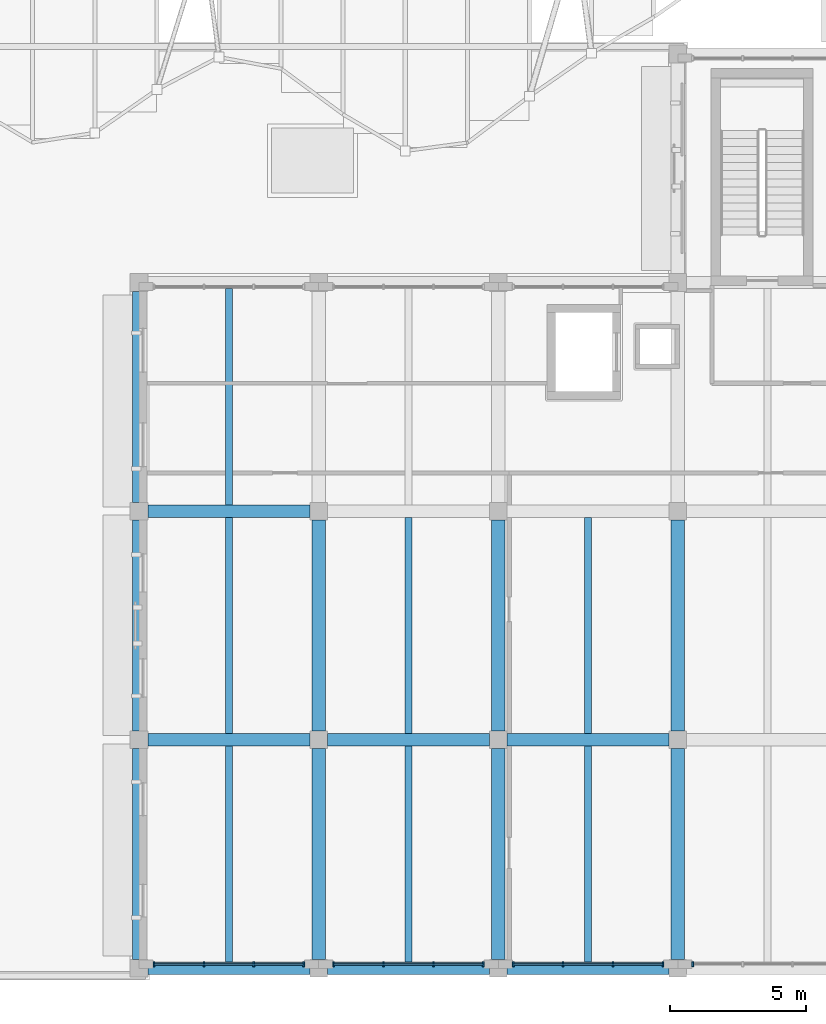
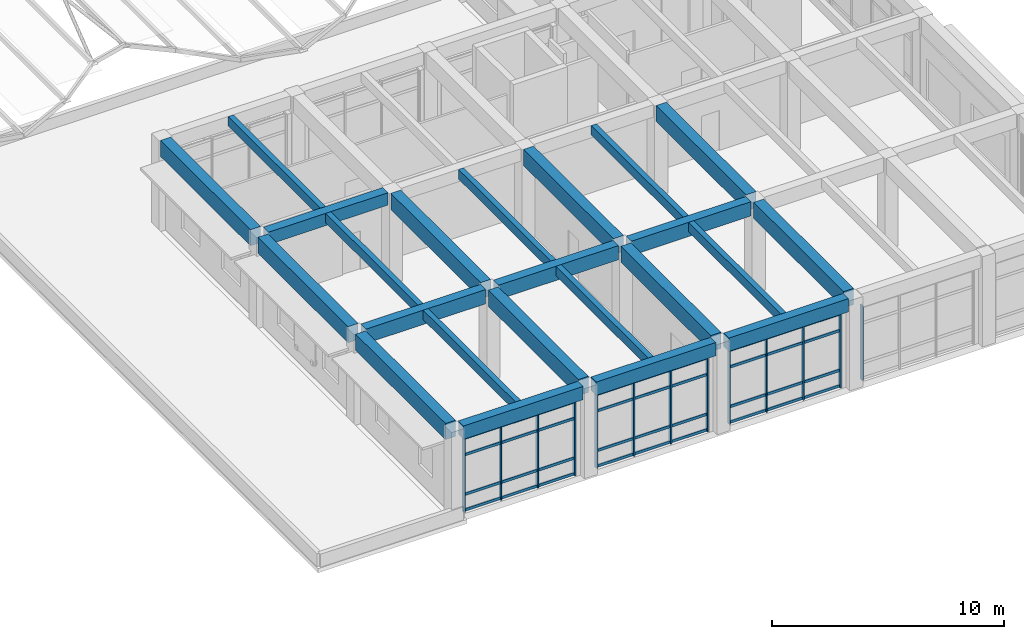
# One storey, part 12 of 79: 25 members, 23 beams, 4 elements without a shape of their own.
"""IFC4 building model written with IfcOpenShell, lengths in metres."""

import ifcopenshell
import ifcopenshell.guid

model = None  # the IFC model being written
_history = None  # IfcOwnerHistory: only IFC2X3 demands one
_inside = {}  # id of a spatial element -> (the spatial element, [elements in it])
_under = {}  # id of a project, library or spatial element -> (it, [spatial elements below it])
_declared = {}  # id of a project -> (the project, [libraries it declares])
_typed = {}  # id of a type object -> (the type object, [elements of that type])
_made_of = {}  # id of a material, layer set ... -> (it, [elements and type objects made of it])


def new_model(schema):
    """Start an empty IFC model of exactly this schema.

    Asked for "IFC4X3", IfcOpenShell would pick the latest addendum, in which some entities
    have other attributes; the version numbers below select the first issue.
    IFC2X3 requires an IfcOwnerHistory on every rooted entity: one is made here for all.
    """
    global model, _history
    if schema == "IFC4X3":
        model = ifcopenshell.file(schema_version=(4, 3, 0, 0))
    else:
        model = ifcopenshell.file(schema=schema)
    _inside.clear()
    _under.clear()
    _declared.clear()
    _typed.clear()
    _made_of.clear()
    _history = None
    if model.schema == "IFC2X3":
        org = make("IfcOrganization", Name="unknown")
        user = make(
            "IfcPersonAndOrganization",
            ThePerson=make("IfcPerson", FamilyName="unknown"),
            TheOrganization=org,
        )
        app = make(
            "IfcApplication",
            ApplicationDeveloper=org,
            Version="unknown",
            ApplicationFullName="unknown",
            ApplicationIdentifier="unknown",
        )
        _history = make(
            "IfcOwnerHistory",
            OwningUser=user,
            OwningApplication=app,
            ChangeAction="ADDED",
            CreationDate=0,
        )
    return model


def make(cls, **values):
    """One entity of the class cls with the attributes given. An attribute that is None is left unset."""
    return model.create_entity(
        cls, **{name: value for name, value in values.items() if value is not None}
    )


def rooted(cls, **values):
    """An entity with a GlobalId (a new one), such as an element, a storey or a relation."""
    return make(cls, GlobalId=ifcopenshell.guid.new(), OwnerHistory=_history, **values)


def si_unit(unit_type, name, prefix=None):
    """IfcSIUnit, for example si_unit("LENGTHUNIT", "METRE", prefix="MILLI")."""
    return make("IfcSIUnit", UnitType=unit_type, Prefix=prefix, Name=name)


def assignment(units):
    """IfcUnitAssignment: the units of a project."""
    return None if units is None else make("IfcUnitAssignment", Units=units)


def point(xyz):
    """IfcCartesianPoint."""
    return None if xyz is None else make("IfcCartesianPoint", Coordinates=xyz)


def direction(xyz):
    """IfcDirection."""
    return None if xyz is None else make("IfcDirection", DirectionRatios=xyz)


def frame(location, z_axis=None, x_axis=None):
    """IfcAxis2Placement3D, a coordinate frame: its origin and axes. An axis left out is left unset."""
    return make(
        "IfcAxis2Placement3D",
        Location=point(location),
        Axis=direction(z_axis),
        RefDirection=direction(x_axis),
    )


def frame_2d(location, x_axis=None):
    """IfcAxis2Placement2D, a coordinate frame in the plane: its origin and x axis."""
    return make(
        "IfcAxis2Placement2D", Location=point(location), RefDirection=direction(x_axis)
    )


def origin():
    """The frame at (0, 0, 0) with its axes left unset."""
    return frame((0.0, 0.0, 0.0))


def origin_2d():
    """The frame at (0, 0) in the plane with its x axis left unset."""
    return frame_2d((0.0, 0.0))


def place(relative_to, where):
    """IfcLocalPlacement: puts the frame where relative to a parent placement (None: the world)."""
    return make(
        "IfcLocalPlacement", PlacementRelTo=relative_to, RelativePlacement=where
    )


def context(
    kind, dimensions, precision=None, world=None, true_north=None, identifier=None
):
    """IfcGeometricRepresentationContext, for example the 3D "Model" context."""
    return make(
        "IfcGeometricRepresentationContext",
        ContextIdentifier=identifier,
        ContextType=kind,
        CoordinateSpaceDimension=dimensions,
        Precision=precision,
        WorldCoordinateSystem=world,
        TrueNorth=true_north,
    )


def subcontext(parent, identifier, kind, view, scale=None):
    """IfcGeometricRepresentationSubContext, for example "Body" below "Model"."""
    return make(
        "IfcGeometricRepresentationSubContext",
        ContextIdentifier=identifier,
        ContextType=kind,
        ParentContext=parent,
        TargetScale=scale,
        TargetView=view,
    )


def project(units=None, contexts=None):
    """IfcProject with its units and contexts."""
    return rooted(
        "IfcProject",
        Name="project",
        RepresentationContexts=contexts,
        UnitsInContext=assignment(units),
    )


def spatial(cls, under=None, at=None, **own):
    """A site, building, storey or space (cls), placed at a placement, below another one or the project."""
    s = rooted(cls, ObjectPlacement=at, **own)
    if under is not None:
        _under.setdefault(under.id(), (under, []))[1].append(s)
    return s


def profile(cls, at=None, kind="AREA", **sizes):
    """A parametric profile (cls). Its sizes go by their IFC names, for example OverallWidth=200.0."""
    return make(cls, ProfileType=kind, Position=at, **sizes)


def rectangle(**sizes):
    """IfcRectangleProfileDef."""
    return profile("IfcRectangleProfileDef", **sizes)


def extrude(swept, where, along, depth):
    """IfcExtrudedAreaSolid: the profile swept, set in the frame where, extruded along a direction by depth."""
    return make(
        "IfcExtrudedAreaSolid",
        SweptArea=swept,
        Position=where,
        ExtrudedDirection=direction(along),
        Depth=depth,
    )


def shape(context_of_items, identifier, shape_type, items):
    """IfcShapeRepresentation: the items that make up one representation, for example the "Body"."""
    return make(
        "IfcShapeRepresentation",
        ContextOfItems=context_of_items,
        RepresentationIdentifier=identifier,
        RepresentationType=shape_type,
        Items=items,
    )


def material(Name=None, Category=None):
    """IfcMaterial."""
    return make("IfcMaterial", Name=Name, Category=Category)


def layer(
    of_material, thickness, ventilated=None, Name=None, Category=None, Priority=None
):
    """IfcMaterialLayer: one layer of a wall or slab, of a material (None: an air gap)."""
    return make(
        "IfcMaterialLayer",
        Material=of_material,
        LayerThickness=thickness,
        IsVentilated=ventilated,
        Name=Name,
        Category=Category,
        Priority=Priority,
    )


def layer_set(layers, Name=None):
    """IfcMaterialLayerSet."""
    return make("IfcMaterialLayerSet", MaterialLayers=layers, LayerSetName=Name)


def material_profile(
    of_material, cross_section, Name=None, Category=None, Priority=None
):
    """IfcMaterialProfile: a cross section and its material."""
    return make(
        "IfcMaterialProfile",
        Name=Name,
        Material=of_material,
        Profile=cross_section,
        Priority=Priority,
        Category=Category,
    )


def profile_set(profiles, Name=None, composite=None):
    """IfcMaterialProfileSet."""
    return make(
        "IfcMaterialProfileSet",
        Name=Name,
        MaterialProfiles=profiles,
        CompositeProfile=composite,
    )


def made_of(thing, what):
    """Note that an element or type object is made of a material, layer set ...; save() writes the relation."""
    if what is not None:
        _made_of.setdefault(what.id(), (what, []))[1].append(thing)
    return thing


def type_object(cls, material=None, **own):
    """A type object (cls), such as IfcWallType, which elements share."""
    return made_of(rooted(cls, **own), material)


def element(
    cls,
    number,
    at=None,
    inside=None,
    cuts=None,
    type_object=None,
    material=None,
    context=None,
    identifier="Body",
    shape_type=None,
    held_by="IfcProductDefinitionShape",
    body=None,
    shapes=None,
    **own,
):
    """One element of the class cls, such as IfcWall. Its Tag is "e" and its number.

    at: its placement. inside: the storey or other place that contains it. cuts: it is an
    opening in that element (IfcRelVoidsElement). A single representation is given by context,
    identifier, shape_type and body (its items); several are given by shapes. held_by: the class
    of the entity that holds the representations. save() writes the other relations.
    """
    e = rooted(cls, Tag="e%d" % number, ObjectPlacement=at, **own)
    if body is not None:
        shapes = [shape(context, identifier, shape_type, body)]
    if shapes is not None:
        e.Representation = make(held_by, Representations=shapes)
    if inside is not None:
        _inside.setdefault(inside.id(), (inside, []))[1].append(e)
    if cuts is not None:
        rooted(
            "IfcRelVoidsElement", RelatingBuildingElement=cuts, RelatedOpeningElement=e
        )
    if type_object is not None:
        _typed.setdefault(type_object.id(), (type_object, []))[1].append(e)
    return made_of(e, material)


def aggregate(whole, parts):
    """IfcRelAggregates: a whole, such as a stair, and the parts it consists of."""
    return rooted("IfcRelAggregates", RelatingObject=whole, RelatedObjects=parts)


def save(model, path):
    """Write the relations noted so far, then the file.

    IfcRelAggregates (storeys below a building ...), IfcRelContainedInSpatialStructure (elements
    in a storey), IfcRelDefinesByType, IfcRelAssociatesMaterial and IfcRelDeclares: one each for
    every whole, place, type object, material and project.
    """
    for whole, parts in _under.values():
        aggregate(whole, parts)
    for where, things in _inside.values():
        rooted(
            "IfcRelContainedInSpatialStructure",
            RelatedElements=things,
            RelatingStructure=where,
        )
    for kind, things in _typed.values():
        rooted("IfcRelDefinesByType", RelatedObjects=things, RelatingType=kind)
    for what, things in _made_of.values():
        rooted("IfcRelAssociatesMaterial", RelatedObjects=things, RelatingMaterial=what)
    for by, libraries in _declared.values():
        rooted("IfcRelDeclares", RelatingContext=by, RelatedDefinitions=libraries)
    model.write(path)


model = new_model("IFC4")

# Units and contexts
model_context = context("Model", 3, precision=1e-05, world=origin(), true_north=direction((0.0, 1.0)))
body_context = subcontext(model_context, "Body", "Model", "MODEL_VIEW")
ifc_project = project(units=[si_unit("LENGTHUNIT", "METRE"), si_unit("AREAUNIT", "SQUARE_METRE"), si_unit("VOLUMEUNIT", "CUBIC_METRE"), si_unit("PLANEANGLEUNIT", "RADIAN"), si_unit("MASSUNIT", "GRAM", prefix="KILO")], contexts=[model_context])

# Site, building, storey
site_placement = place(None, origin())
site = spatial("IfcSite", under=ifc_project, at=site_placement, CompositionType="ELEMENT")
building_placement = place(site_placement, origin())
building = spatial("IfcBuilding", under=site, at=building_placement, Name="Kolvaren Faculty of Natural Sciences", CompositionType="ELEMENT")
storey_placement = place(building_placement, frame((0.0, 0.0, 10.199951171875)))
storey = spatial("IfcBuildingStorey", under=building, at=storey_placement, Name="L02", CompositionType="ELEMENT", Elevation=10.199951171875)

# Curtain wall, member
ifc_material_1 = material(Name="Thermally broken anodised aluminium framing", Category="aluminium")
ifc_layer = layer(ifc_material_1, 0.179931640625)
ifc_layer_set = layer_set([ifc_layer], Name="Thermally broken anodised aluminium framing")
curtain_wall_type = type_object("IfcCurtainWallType", Name="CommonsCurtainWall_CW02", PredefinedType="NOTDEFINED", material=ifc_layer_set)
curtain_wall_1_placement = place(storey_placement, origin())
curtain_wall_1 = element("IfcCurtainWall", 1, at=curtain_wall_1_placement, inside=storey, type_object=curtain_wall_type, Name="L02 unitised curtain wall CW-02 (CW-L02-112)", PredefinedType="NOTDEFINED")
ifc_material_profile_1 = material_profile(ifc_material_1, rectangle(XDim=0.06005859375, YDim=0.179931640625, at=origin_2d()), Name="ALU MUL 60x180")
ifc_profile_set_1 = profile_set([ifc_material_profile_1], Name="Thermally broken anodised aluminium framing")
member_type_1 = type_object("IfcMemberType", Name="CurtainMullion_60x180", PredefinedType="MULLION", material=ifc_profile_set_1)
member_1_placement = place(storey_placement, frame((126.14990234375, 8.75, 0.0), z_axis=(0.0, 0.0, 1.0), x_axis=(-1.0, 0.0, 0.0)))
member_1 = element("IfcMember", 2, at=member_1_placement, type_object=member_type_1, Name="CW-L02-112 vertical mullion 4", PredefinedType="MULLION", context=body_context, shape_type="SweptSolid", body=[
    extrude(rectangle(XDim=0.06005859375, YDim=0.179931640625, at=origin_2d()), origin(), (0.0, 0.0, 1.0), 3.93505859375),
])
aggregate(curtain_wall_1, [member_1])

# Curtain wall, members
curtain_wall_2_placement = place(storey_placement, origin())
curtain_wall_2 = element("IfcCurtainWall", 3, at=curtain_wall_2_placement, inside=storey, type_object=curtain_wall_type, Name="L02 unitised curtain wall CW-02 (CW-L02-113)", PredefinedType="NOTDEFINED")
member_2_placement = place(storey_placement, frame((125.050048828125, 8.75, 0.0), z_axis=(0.0, 0.0, 1.0), x_axis=(-1.0, 0.0, 0.0)))
member_2 = element("IfcMember", 4, at=member_2_placement, type_object=member_type_1, Name="CW-L02-113 vertical mullion 1", PredefinedType="MULLION", context=body_context, shape_type="SweptSolid", body=[
    extrude(rectangle(XDim=0.06005859375, YDim=0.179931640625, at=origin_2d()), origin(), (0.0, 0.0, 1.0), 3.93505859375),
])
member_3_placement = place(storey_placement, frame((123.216796875, 8.75, 0.0), z_axis=(0.0, 0.0, 1.0), x_axis=(-1.0, 0.0, 0.0)))
member_3 = element("IfcMember", 5, at=member_3_placement, type_object=member_type_1, Name="CW-L02-113 vertical mullion 2", PredefinedType="MULLION", context=body_context, shape_type="SweptSolid", body=[
    extrude(rectangle(XDim=0.06005859375, YDim=0.179931640625, at=origin_2d()), origin(), (0.0, 0.0, 1.0), 3.93505859375),
])
member_4_placement = place(storey_placement, frame((121.38330078125, 8.75, 0.0), z_axis=(0.0, 0.0, 1.0), x_axis=(-1.0, 0.0, 0.0)))
member_4 = element("IfcMember", 6, at=member_4_placement, type_object=member_type_1, Name="CW-L02-113 vertical mullion 3", PredefinedType="MULLION", context=body_context, shape_type="SweptSolid", body=[
    extrude(rectangle(XDim=0.06005859375, YDim=0.179931640625, at=origin_2d()), origin(), (0.0, 0.0, 1.0), 3.93505859375),
])
member_5_placement = place(storey_placement, frame((119.550048828125, 8.75, 0.0), z_axis=(0.0, 0.0, 1.0), x_axis=(-1.0, 0.0, 0.0)))
member_5 = element("IfcMember", 7, at=member_5_placement, type_object=member_type_1, Name="CW-L02-113 vertical mullion 4", PredefinedType="MULLION", context=body_context, shape_type="SweptSolid", body=[
    extrude(rectangle(XDim=0.06005859375, YDim=0.179931640625, at=origin_2d()), origin(), (0.0, 0.0, 1.0), 3.93505859375),
])

curtain_wall_3_placement = place(storey_placement, origin())
curtain_wall_3 = element("IfcCurtainWall", 8, at=curtain_wall_3_placement, inside=storey, type_object=curtain_wall_type, Name="L02 unitised curtain wall CW-02 (CW-L02-114)", PredefinedType="NOTDEFINED")
member_6_placement = place(storey_placement, frame((118.449951171875, 8.75, 0.0), z_axis=(0.0, 0.0, 1.0), x_axis=(-1.0, 0.0, 0.0)))
member_6 = element("IfcMember", 9, at=member_6_placement, type_object=member_type_1, Name="CW-L02-114 vertical mullion 1", PredefinedType="MULLION", context=body_context, shape_type="SweptSolid", body=[
    extrude(rectangle(XDim=0.06005859375, YDim=0.179931640625, at=origin_2d()), origin(), (0.0, 0.0, 1.0), 3.93505859375),
])
member_7_placement = place(storey_placement, frame((116.61669921875, 8.75, 0.0), z_axis=(0.0, 0.0, 1.0), x_axis=(-1.0, 0.0, 0.0)))
member_7 = element("IfcMember", 10, at=member_7_placement, type_object=member_type_1, Name="CW-L02-114 vertical mullion 2", PredefinedType="MULLION", context=body_context, shape_type="SweptSolid", body=[
    extrude(rectangle(XDim=0.06005859375, YDim=0.179931640625, at=origin_2d()), origin(), (0.0, 0.0, 1.0), 3.93505859375),
])
member_8_placement = place(storey_placement, frame((114.783203125, 8.75, 0.0), z_axis=(0.0, 0.0, 1.0), x_axis=(-1.0, 0.0, 0.0)))
member_8 = element("IfcMember", 11, at=member_8_placement, type_object=member_type_1, Name="CW-L02-114 vertical mullion 3", PredefinedType="MULLION", context=body_context, shape_type="SweptSolid", body=[
    extrude(rectangle(XDim=0.06005859375, YDim=0.179931640625, at=origin_2d()), origin(), (0.0, 0.0, 1.0), 3.93505859375),
])
member_9_placement = place(storey_placement, frame((112.949951171875, 8.75, 0.0), z_axis=(0.0, 0.0, 1.0), x_axis=(-1.0, 0.0, 0.0)))
member_9 = element("IfcMember", 12, at=member_9_placement, type_object=member_type_1, Name="CW-L02-114 vertical mullion 4", PredefinedType="MULLION", context=body_context, shape_type="SweptSolid", body=[
    extrude(rectangle(XDim=0.06005859375, YDim=0.179931640625, at=origin_2d()), origin(), (0.0, 0.0, 1.0), 3.93505859375),
])

curtain_wall_4_placement = place(storey_placement, origin())
curtain_wall_4 = element("IfcCurtainWall", 13, at=curtain_wall_4_placement, inside=storey, type_object=curtain_wall_type, Name="L02 unitised curtain wall CW-02 (CW-L02-115)", PredefinedType="NOTDEFINED")
member_10_placement = place(storey_placement, frame((111.85009765625, 8.75, 0.0), z_axis=(0.0, 0.0, 1.0), x_axis=(-1.0, 0.0, 0.0)))
member_10 = element("IfcMember", 14, at=member_10_placement, type_object=member_type_1, Name="CW-L02-115 vertical mullion 1", PredefinedType="MULLION", context=body_context, shape_type="SweptSolid", body=[
    extrude(rectangle(XDim=0.06005859375, YDim=0.179931640625, at=origin_2d()), origin(), (0.0, 0.0, 1.0), 3.93505859375),
])
member_11_placement = place(storey_placement, frame((110.0166015625, 8.75, 0.0), z_axis=(0.0, 0.0, 1.0), x_axis=(-1.0, 0.0, 0.0)))
member_11 = element("IfcMember", 15, at=member_11_placement, type_object=member_type_1, Name="CW-L02-115 vertical mullion 2", PredefinedType="MULLION", context=body_context, shape_type="SweptSolid", body=[
    extrude(rectangle(XDim=0.06005859375, YDim=0.179931640625, at=origin_2d()), origin(), (0.0, 0.0, 1.0), 3.93505859375),
])
member_12_placement = place(storey_placement, frame((108.183349609375, 8.75, 0.0), z_axis=(0.0, 0.0, 1.0), x_axis=(-1.0, 0.0, 0.0)))
member_12 = element("IfcMember", 16, at=member_12_placement, type_object=member_type_1, Name="CW-L02-115 vertical mullion 3", PredefinedType="MULLION", context=body_context, shape_type="SweptSolid", body=[
    extrude(rectangle(XDim=0.06005859375, YDim=0.179931640625, at=origin_2d()), origin(), (0.0, 0.0, 1.0), 3.93505859375),
])
member_13_placement = place(storey_placement, frame((106.35009765625, 8.75, 0.0), z_axis=(0.0, 0.0, 1.0), x_axis=(-1.0, 0.0, 0.0)))
member_13 = element("IfcMember", 17, at=member_13_placement, type_object=member_type_1, Name="CW-L02-115 vertical mullion 4", PredefinedType="MULLION", context=body_context, shape_type="SweptSolid", body=[
    extrude(rectangle(XDim=0.06005859375, YDim=0.179931640625, at=origin_2d()), origin(), (0.0, 0.0, 1.0), 3.93505859375),
])

# Member
ifc_material_profile_2 = material_profile(ifc_material_1, rectangle(XDim=0.06005859375, YDim=0.139892578125, at=origin_2d()), Name="ALU TRN 60x140")
ifc_profile_set_2 = profile_set([ifc_material_profile_2], Name="Thermally broken anodised aluminium framing")
member_type_2 = type_object("IfcMemberType", Name="CurtainTransom_60x140", PredefinedType="USERDEFINED", material=ifc_profile_set_2)
member_14_placement = place(storey_placement, frame((125.050048828125, 8.75, 0.080078125), z_axis=(-1.0, 0.0, 0.0), x_axis=(0.0, -1.0, 0.0)))
member_14 = element("IfcMember", 18, at=member_14_placement, type_object=member_type_2, Name="CW-L02-113 horizontal transom 1", ObjectType="TRANSOM", PredefinedType="USERDEFINED", context=body_context, shape_type="SweptSolid", body=[
    extrude(rectangle(XDim=0.06005859375, YDim=0.139892578125, at=origin_2d()), origin(), (0.0, 0.0, 1.0), 5.5),
])

member_15_placement = place(storey_placement, frame((125.050048828125, 8.75, 0.900146484375), z_axis=(-1.0, 0.0, 0.0), x_axis=(0.0, -1.0, 0.0)))
member_15 = element("IfcMember", 19, at=member_15_placement, type_object=member_type_2, Name="CW-L02-113 horizontal transom 2", ObjectType="TRANSOM", PredefinedType="USERDEFINED", context=body_context, shape_type="SweptSolid", body=[
    extrude(rectangle(XDim=0.06005859375, YDim=0.139892578125, at=origin_2d()), origin(), (0.0, 0.0, 1.0), 5.5),
])

member_16_placement = place(storey_placement, frame((125.050048828125, 8.75, 2.985107421875), z_axis=(-1.0, 0.0, 0.0), x_axis=(0.0, -1.0, 0.0)))
member_16 = element("IfcMember", 20, at=member_16_placement, type_object=member_type_2, Name="CW-L02-113 horizontal transom 3", ObjectType="TRANSOM", PredefinedType="USERDEFINED", context=body_context, shape_type="SweptSolid", body=[
    extrude(rectangle(XDim=0.06005859375, YDim=0.139892578125, at=origin_2d()), origin(), (0.0, 0.0, 1.0), 5.5),
])

member_17_placement = place(storey_placement, frame((125.050048828125, 8.75, 3.85498046875), z_axis=(-1.0, 0.0, 0.0), x_axis=(0.0, -1.0, 0.0)))
member_17 = element("IfcMember", 21, at=member_17_placement, type_object=member_type_2, Name="CW-L02-113 horizontal transom 4", ObjectType="TRANSOM", PredefinedType="USERDEFINED", context=body_context, shape_type="SweptSolid", body=[
    extrude(rectangle(XDim=0.06005859375, YDim=0.139892578125, at=origin_2d()), origin(), (0.0, 0.0, 1.0), 5.5),
])

aggregate(curtain_wall_2, [member_2, member_3, member_4, member_5, member_14, member_15, member_16, member_17])

member_18_placement = place(storey_placement, frame((118.449951171875, 8.75, 0.080078125), z_axis=(-1.0, 0.0, 0.0), x_axis=(0.0, -1.0, 0.0)))
member_18 = element("IfcMember", 22, at=member_18_placement, type_object=member_type_2, Name="CW-L02-114 horizontal transom 1", ObjectType="TRANSOM", PredefinedType="USERDEFINED", context=body_context, shape_type="SweptSolid", body=[
    extrude(rectangle(XDim=0.06005859375, YDim=0.139892578125, at=origin_2d()), origin(), (0.0, 0.0, 1.0), 5.5),
])

member_19_placement = place(storey_placement, frame((118.449951171875, 8.75, 0.900146484375), z_axis=(-1.0, 0.0, 0.0), x_axis=(0.0, -1.0, 0.0)))
member_19 = element("IfcMember", 23, at=member_19_placement, type_object=member_type_2, Name="CW-L02-114 horizontal transom 2", ObjectType="TRANSOM", PredefinedType="USERDEFINED", context=body_context, shape_type="SweptSolid", body=[
    extrude(rectangle(XDim=0.06005859375, YDim=0.139892578125, at=origin_2d()), origin(), (0.0, 0.0, 1.0), 5.5),
])

member_20_placement = place(storey_placement, frame((118.449951171875, 8.75, 2.985107421875), z_axis=(-1.0, 0.0, 0.0), x_axis=(0.0, -1.0, 0.0)))
member_20 = element("IfcMember", 24, at=member_20_placement, type_object=member_type_2, Name="CW-L02-114 horizontal transom 3", ObjectType="TRANSOM", PredefinedType="USERDEFINED", context=body_context, shape_type="SweptSolid", body=[
    extrude(rectangle(XDim=0.06005859375, YDim=0.139892578125, at=origin_2d()), origin(), (0.0, 0.0, 1.0), 5.5),
])

member_21_placement = place(storey_placement, frame((118.449951171875, 8.75, 3.85498046875), z_axis=(-1.0, 0.0, 0.0), x_axis=(0.0, -1.0, 0.0)))
member_21 = element("IfcMember", 25, at=member_21_placement, type_object=member_type_2, Name="CW-L02-114 horizontal transom 4", ObjectType="TRANSOM", PredefinedType="USERDEFINED", context=body_context, shape_type="SweptSolid", body=[
    extrude(rectangle(XDim=0.06005859375, YDim=0.139892578125, at=origin_2d()), origin(), (0.0, 0.0, 1.0), 5.5),
])

aggregate(curtain_wall_3, [member_6, member_7, member_8, member_9, member_18, member_19, member_20, member_21])

member_22_placement = place(storey_placement, frame((111.85009765625, 8.75, 0.080078125), z_axis=(-1.0, 0.0, 0.0), x_axis=(0.0, -1.0, 0.0)))
member_22 = element("IfcMember", 26, at=member_22_placement, type_object=member_type_2, Name="CW-L02-115 horizontal transom 1", ObjectType="TRANSOM", PredefinedType="USERDEFINED", context=body_context, shape_type="SweptSolid", body=[
    extrude(rectangle(XDim=0.06005859375, YDim=0.139892578125, at=origin_2d()), origin(), (0.0, 0.0, 1.0), 5.5),
])

member_23_placement = place(storey_placement, frame((111.85009765625, 8.75, 0.900146484375), z_axis=(-1.0, 0.0, 0.0), x_axis=(0.0, -1.0, 0.0)))
member_23 = element("IfcMember", 27, at=member_23_placement, type_object=member_type_2, Name="CW-L02-115 horizontal transom 2", ObjectType="TRANSOM", PredefinedType="USERDEFINED", context=body_context, shape_type="SweptSolid", body=[
    extrude(rectangle(XDim=0.06005859375, YDim=0.139892578125, at=origin_2d()), origin(), (0.0, 0.0, 1.0), 5.5),
])

member_24_placement = place(storey_placement, frame((111.85009765625, 8.75, 2.985107421875), z_axis=(-1.0, 0.0, 0.0), x_axis=(0.0, -1.0, 0.0)))
member_24 = element("IfcMember", 28, at=member_24_placement, type_object=member_type_2, Name="CW-L02-115 horizontal transom 3", ObjectType="TRANSOM", PredefinedType="USERDEFINED", context=body_context, shape_type="SweptSolid", body=[
    extrude(rectangle(XDim=0.06005859375, YDim=0.139892578125, at=origin_2d()), origin(), (0.0, 0.0, 1.0), 5.5),
])

member_25_placement = place(storey_placement, frame((111.85009765625, 8.75, 3.85498046875), z_axis=(-1.0, 0.0, 0.0), x_axis=(0.0, -1.0, 0.0)))
member_25 = element("IfcMember", 29, at=member_25_placement, type_object=member_type_2, Name="CW-L02-115 horizontal transom 4", ObjectType="TRANSOM", PredefinedType="USERDEFINED", context=body_context, shape_type="SweptSolid", body=[
    extrude(rectangle(XDim=0.06005859375, YDim=0.139892578125, at=origin_2d()), origin(), (0.0, 0.0, 1.0), 5.5),
])

aggregate(curtain_wall_4, [member_10, member_11, member_12, member_13, member_22, member_23, member_24, member_25])

# Beams
ifc_material_2 = material(Name="Concrete C35/45", Category="concrete")
ifc_material_profile_3 = material_profile(ifc_material_2, rectangle(XDim=0.449951171875, YDim=0.64990234375, at=origin_2d()), Name="RC BM 450x650")
ifc_profile_set_3 = profile_set([ifc_material_profile_3], Name="Concrete C35/45")
beam_type_1 = type_object("IfcBeamType", Name="GridBeam_450x650", PredefinedType="BEAM", material=ifc_profile_set_3)
beam_placement = place(storey_placement, frame((106.125, 25.39990234375, 4.47509765625), z_axis=(1.0, 0.0, 0.0), x_axis=(0.0, 1.0, 0.0)))
element("IfcBeam", 30, at=beam_placement, inside=storey, type_object=beam_type_1, Name="L02 beam BM-65 on grid D", PredefinedType="BEAM", context=body_context, shape_type="SweptSolid", body=[
    extrude(rectangle(XDim=0.449951171875, YDim=0.64990234375, at=origin_2d()), origin(), (0.0, 0.0, 1.0), 5.949951171875),
])
ifc_material_profile_4 = material_profile(ifc_material_2, rectangle(XDim=0.260009765625, YDim=0.5, at=origin_2d()), Name="RC JST 260x500")
ifc_profile_set_4 = profile_set([ifc_material_profile_4], Name="Concrete C35/45")
beam_type_2 = type_object("IfcBeamType", Name="LabRibJoist_260x500", PredefinedType="JOIST", material=ifc_profile_set_4)
for number, where, z_axis, x_axis, name in (
    (31, (109.10009765625, 8.824951171875, 4.550048828125), (0.0, 1.0, 0.0), (-1.0, 0.0, 0.0), "L02 ribbed laboratory slab joist JS-50"),
    (32, (109.10009765625, 17.22509765625, 4.550048828125), (0.0, 1.0, 0.0), (-1.0, 0.0, 0.0), "L02 ribbed laboratory slab joist JS-50"),
    (33, (109.10009765625, 25.625, 4.550048828125), (0.0, 1.0, 0.0), (-1.0, 0.0, 0.0), "L02 ribbed laboratory slab joist JS-50"),
    (34, (115.699951171875, 8.824951171875, 4.550048828125), (0.0, 1.0, 0.0), (-1.0, 0.0, 0.0), "L02 ribbed laboratory slab joist JS-50"),
    (35, (115.699951171875, 17.22509765625, 4.550048828125), (0.0, 1.0, 0.0), (-1.0, 0.0, 0.0), "L02 ribbed laboratory slab joist JS-50"),
    (36, (122.300048828125, 8.824951171875, 4.550048828125), (0.0, 1.0, 0.0), (-1.0, 0.0, 0.0), "L02 ribbed laboratory slab joist JS-50"),
    (37, (122.300048828125, 17.22509765625, 4.550048828125), (0.0, 1.0, 0.0), (-1.0, 0.0, 0.0), "L02 ribbed laboratory slab joist JS-50"),
):
    element("IfcBeam", number, at=place(storey_placement, frame(where, z_axis=z_axis, x_axis=x_axis)), inside=storey, type_object=beam_type_2, Name=name, PredefinedType="JOIST", context=body_context, shape_type="SweptSolid", body=[
        extrude(rectangle(XDim=0.260009765625, YDim=0.5, at=origin_2d()), origin(), (0.0, 0.0, 1.0), 7.949951171875),
    ])
ifc_material_profile_5 = material_profile(ifc_material_2, rectangle(XDim=0.449951171875, YDim=0.699951171875, at=origin_2d()), Name="RC SP 450x700")
ifc_profile_set_5 = profile_set([ifc_material_profile_5], Name="Concrete C35/45")
beam_type_3 = type_object("IfcBeamType", Name="PerimeterSpandrel_450x700", PredefinedType="SPANDREL", material=ifc_profile_set_5)
for number, where, z_axis, x_axis, name in (
    (38, (106.125, 8.60009765625, 4.449951171875), (1.0, 0.0, 0.0), (0.0, 1.0, 0.0), "L02 spandrel SP-70 on grid B"),
    (39, (112.72509765625, 8.60009765625, 4.449951171875), (1.0, 0.0, 0.0), (0.0, 1.0, 0.0), "L02 spandrel SP-70 on grid B"),
    (40, (119.324951171875, 8.60009765625, 4.449951171875), (1.0, 0.0, 0.0), (0.0, 1.0, 0.0), "L02 spandrel SP-70 on grid B"),
):
    element("IfcBeam", number, at=place(storey_placement, frame(where, z_axis=z_axis, x_axis=x_axis)), inside=storey, type_object=beam_type_3, Name=name, PredefinedType="SPANDREL", context=body_context, shape_type="SweptSolid", body=[
        extrude(rectangle(XDim=0.449951171875, YDim=0.699951171875, at=origin_2d()), origin(), (0.0, 0.0, 1.0), 5.949951171875),
    ])
ifc_material_profile_6 = material_profile(ifc_material_2, rectangle(XDim=0.449951171875, YDim=0.75, at=origin_2d()), Name="RC BM 450x750")
ifc_profile_set_6 = profile_set([ifc_material_profile_6], Name="Concrete C35/45")
beam_type_4 = type_object("IfcBeamType", Name="PrimaryGirder_450x750", PredefinedType="BEAM", material=ifc_profile_set_6)
for number, where, z_axis, x_axis, name in (
    (41, (106.125, 17.0, 4.425048828125), (1.0, 0.0, 0.0), (0.0, 1.0, 0.0), "L02 beam BG-75 on grid C"),
    (42, (112.72509765625, 17.0, 4.425048828125), (1.0, 0.0, 0.0), (0.0, 1.0, 0.0), "L02 beam BG-75 on grid C"),
    (43, (119.324951171875, 17.0, 4.425048828125), (1.0, 0.0, 0.0), (0.0, 1.0, 0.0), "L02 beam BG-75 on grid C"),
):
    element("IfcBeam", number, at=place(storey_placement, frame(where, z_axis=z_axis, x_axis=x_axis)), inside=storey, type_object=beam_type_4, Name=name, PredefinedType="BEAM", context=body_context, shape_type="SweptSolid", body=[
        extrude(rectangle(XDim=0.449951171875, YDim=0.75, at=origin_2d()), origin(), (0.0, 0.0, 1.0), 5.949951171875),
    ])
ifc_material_profile_7 = material_profile(ifc_material_2, rectangle(XDim=0.5, YDim=0.85009765625, at=origin_2d()), Name="RC BM 500x850")
ifc_profile_set_7 = profile_set([ifc_material_profile_7], Name="Concrete C35/45")
beam_type_5 = type_object("IfcBeamType", Name="PrimaryGirder_500x850", PredefinedType="BEAM", material=ifc_profile_set_7)
for number, where, z_axis, x_axis, name in (
    (44, (105.800048828125, 8.925048828125, 4.375), (0.0, 1.0, 0.0), (-1.0, 0.0, 0.0), "L02 girder BG-85 on grid 17"),
    (45, (105.800048828125, 17.324951171875, 4.375), (0.0, 1.0, 0.0), (-1.0, 0.0, 0.0), "L02 girder BG-85 on grid 17"),
    (46, (105.800048828125, 25.72509765625, 4.375), (0.0, 1.0, 0.0), (-1.0, 0.0, 0.0), "L02 girder BG-85 on grid 17"),
    (47, (112.39990234375, 8.925048828125, 4.375), (0.0, 1.0, 0.0), (-1.0, 0.0, 0.0), "L02 girder BG-85 on grid 18"),
    (48, (112.39990234375, 17.324951171875, 4.375), (0.0, 1.0, 0.0), (-1.0, 0.0, 0.0), "L02 girder BG-85 on grid 18"),
    (49, (119.0, 8.925048828125, 4.375), (0.0, 1.0, 0.0), (-1.0, 0.0, 0.0), "L02 girder BG-85 on grid 19"),
    (50, (119.0, 17.324951171875, 4.375), (0.0, 1.0, 0.0), (-1.0, 0.0, 0.0), "L02 girder BG-85 on grid 19"),
    (51, (125.60009765625, 8.925048828125, 4.375), (0.0, 1.0, 0.0), (-1.0, 0.0, 0.0), "L02 girder BG-85 on grid 20"),
    (52, (125.60009765625, 17.324951171875, 4.375), (0.0, 1.0, 0.0), (-1.0, 0.0, 0.0), "L02 girder BG-85 on grid 20"),
):
    element("IfcBeam", number, at=place(storey_placement, frame(where, z_axis=z_axis, x_axis=x_axis)), inside=storey, type_object=beam_type_5, Name=name, PredefinedType="BEAM", context=body_context, shape_type="SweptSolid", body=[
        extrude(rectangle(XDim=0.5, YDim=0.85009765625, at=origin_2d()), origin(), (0.0, 0.0, 1.0), 7.75),
    ])

save(model, "model.ifc")
